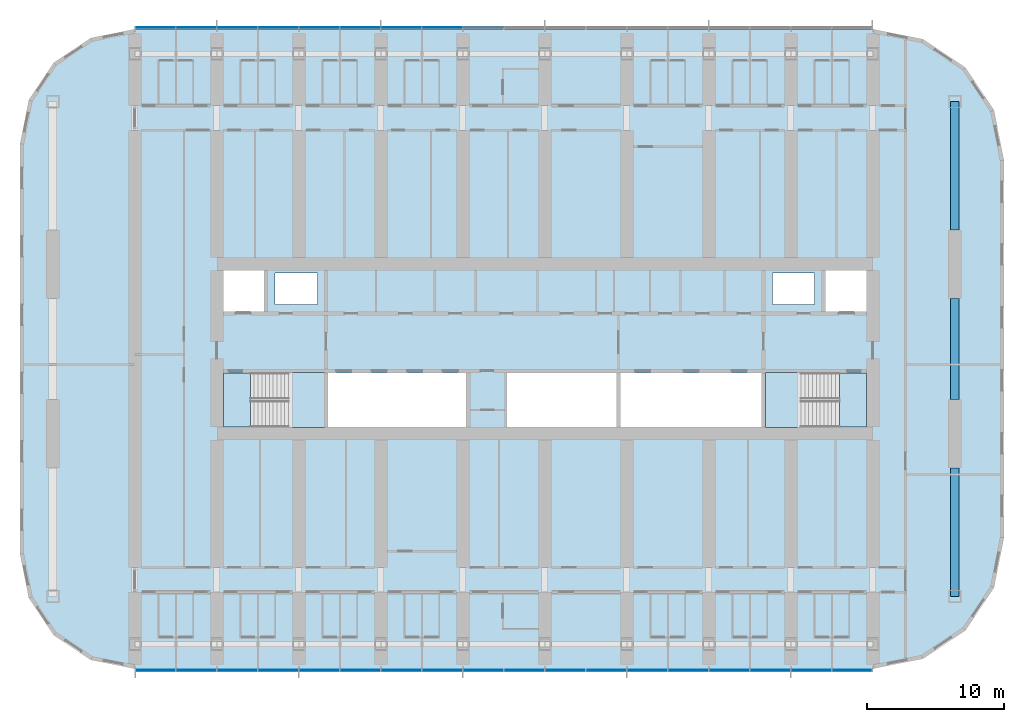
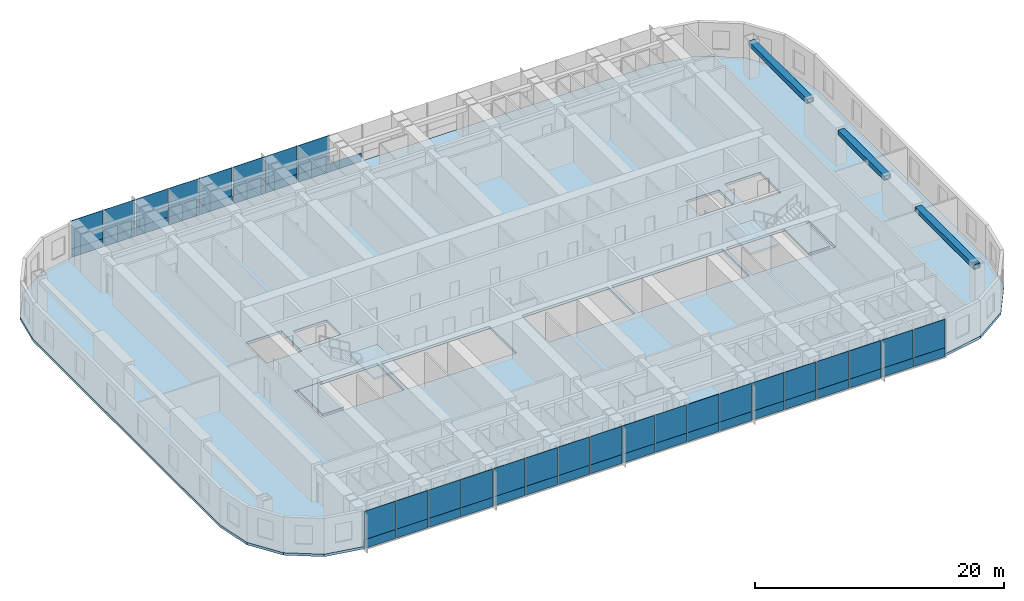
# One storey, part 6 of 22: 53 plates, 5 slabs, 3 beams, 4 elements without a shape of their own.
"""IFC4 building model written with IfcOpenShell, lengths in metres."""

from ifc_helpers import new_model, si_unit, direction, frame, origin, origin_2d, place, context, subcontext, project, spatial, polyline, rectangle, hollow_rectangle, outline, extrude, material, layer, layer_set, material_profile, profile_set, type_object, element, aggregate, save


model = new_model("IFC4")

# Units and contexts
model_context = context("Model", 3, precision=1e-05, world=origin(), true_north=direction((0.0, 1.0)))
body_context = subcontext(model_context, "Body", "Model", "MODEL_VIEW")
ifc_project = project(units=[si_unit("LENGTHUNIT", "METRE"), si_unit("AREAUNIT", "SQUARE_METRE"), si_unit("VOLUMEUNIT", "CUBIC_METRE"), si_unit("PLANEANGLEUNIT", "RADIAN"), si_unit("MASSUNIT", "GRAM", prefix="KILO")], contexts=[model_context])

# Site, building, storey
site_placement = place(None, origin())
site = spatial("IfcSite", under=ifc_project, at=site_placement, CompositionType="ELEMENT")
building_placement = place(site_placement, origin())
building = spatial("IfcBuilding", under=site, at=building_placement, Name="Orbita Commons", CompositionType="ELEMENT")
storey_placement = place(building_placement, frame((0.0, 0.0, 121.89990234375)))
storey = spatial("IfcBuildingStorey", under=building, at=storey_placement, Name="L30", CompositionType="ELEMENT", Elevation=121.89990234375)

# Beams
ifc_material_1 = material(Name="Steel ASTM A572 Gr 50 welded plate", Category="steel")
ifc_material_profile = material_profile(ifc_material_1, hollow_rectangle(XDim=0.60009765625, YDim=0.449951171875, WallThickness=0.06005859375, at=origin_2d()), Name="BOX 450x600x60")
ifc_profile_set = profile_set([ifc_material_profile], Name="Steel ASTM A572 Gr 50 welded plate")
beam_type = type_object("IfcBeamType", Name="Steel end frame link BOX 450x600x60", PredefinedType="BEAM", material=ifc_profile_set)
beam_1_placement = place(storey_placement, frame((72.0, 13.89990234375, 3.275146484375), z_axis=(0.0, 1.0, 0.0), x_axis=(-1.0, 0.0, 0.0)))
element("IfcBeam", 1, at=beam_1_placement, inside=storey, type_object=beam_type, Name="End frame beam 13 B-C L30", PredefinedType="BEAM", context=body_context, shape_type="SweptSolid", body=[
    extrude(hollow_rectangle(XDim=0.60009765625, YDim=0.449951171875, WallThickness=0.06005859375, at=origin_2d()), origin(), (0.0, 0.0, 1.0), 9.400146484375),
])
beam_2_placement = place(storey_placement, frame((72.0, 28.300048828125, 3.275146484375), z_axis=(0.0, 1.0, 0.0), x_axis=(-1.0, 0.0, 0.0)))
element("IfcBeam", 2, at=beam_2_placement, inside=storey, type_object=beam_type, Name="End frame beam 13 C-D L30", PredefinedType="BEAM", context=body_context, shape_type="SweptSolid", body=[
    extrude(hollow_rectangle(XDim=0.60009765625, YDim=0.449951171875, WallThickness=0.06005859375, at=origin_2d()), origin(), (0.0, 0.0, 1.0), 7.39990234375),
])
beam_3_placement = place(storey_placement, frame((72.0, 40.699951171875, 3.275146484375), z_axis=(0.0, 1.0, 0.0), x_axis=(-1.0, 0.0, 0.0)))
element("IfcBeam", 3, at=beam_3_placement, inside=storey, type_object=beam_type, Name="End frame beam 13 D-E L30", PredefinedType="BEAM", context=body_context, shape_type="SweptSolid", body=[
    extrude(hollow_rectangle(XDim=0.60009765625, YDim=0.449951171875, WallThickness=0.06005859375, at=origin_2d()), origin(), (0.0, 0.0, 1.0), 9.400146484375),
])

# Slab
ifc_material_2 = material(Name="Concrete C40/50", Category="concrete")
ifc_layer_1 = layer(ifc_material_2, 0.25)
ifc_layer_set_1 = layer_set([ifc_layer_1], Name="Concrete C40/50")
slab_type_1 = type_object("IfcSlabType", Name="Floor slab 250", PredefinedType="FLOOR", material=ifc_layer_set_1)
slab_1_placement = place(storey_placement, frame((0.0, 0.0, -0.25)))
element("IfcSlab", 4, at=slab_1_placement, inside=storey, type_object=slab_type_1, Name="Floor slab L30", PredefinedType="FLOOR", context=body_context, shape_type="SweptSolid", body=[
    extrude(outline(polyline([(66.0, 8.60009765625), (69.673828125, 9.330810546875), (72.788330078125, 11.411865234375), (74.869140625, 14.526123046875), (75.60009765625, 18.199951171875), (75.60009765625, 45.800048828125), (74.869140625, 49.473876953125), (72.788330078125, 52.588134765625), (69.673828125, 54.669189453125), (66.0, 55.39990234375), (12.0, 55.39990234375), (8.785400390625, 54.760498046875), (6.060302734375, 52.939697265625), (4.239501953125, 50.214599609375), (3.60009765625, 47.0), (3.60009765625, 17.0), (4.239501953125, 13.785400390625), (6.060302734375, 11.060302734375), (8.785400390625, 9.239501953125), (12.0, 8.60009765625), (66.0, 8.60009765625)]), holes=[polyline([(18.14990234375, 25.949951171875), (25.85009765625, 25.949951171875), (25.85009765625, 30.25), (18.14990234375, 30.25), (18.14990234375, 25.949951171875)]), polyline([(58.14990234375, 25.949951171875), (65.85009765625, 25.949951171875), (65.85009765625, 30.25), (58.14990234375, 30.25), (58.14990234375, 25.949951171875)]), polyline([(18.14990234375, 34.75), (21.449951171875, 34.75), (21.449951171875, 38.050048828125), (18.14990234375, 38.050048828125), (18.14990234375, 34.75)]), polyline([(62.550048828125, 34.75), (65.85009765625, 34.75), (65.85009765625, 38.050048828125), (62.550048828125, 38.050048828125), (62.550048828125, 34.75)]), polyline([(22.25, 35.25), (25.35009765625, 35.25), (25.35009765625, 37.550048828125), (22.25, 37.550048828125), (22.25, 35.25)]), polyline([(58.64990234375, 35.25), (61.75, 35.25), (61.75, 37.550048828125), (58.64990234375, 37.550048828125), (58.64990234375, 35.25)]), polyline([(26.14990234375, 25.949951171875), (36.25, 25.949951171875), (36.25, 30.25), (26.14990234375, 30.25), (26.14990234375, 25.949951171875)]), polyline([(39.25, 25.949951171875), (47.25, 25.949951171875), (47.25, 30.25), (39.25, 30.25), (39.25, 25.949951171875)]), polyline([(47.550048828125, 25.949951171875), (57.85009765625, 25.949951171875), (57.85009765625, 30.25), (47.550048828125, 30.25), (47.550048828125, 25.949951171875)])]), origin(), (0.0, 0.0, 1.0), 0.25),
])

# Curtain wall, plates
ifc_material_3 = material(Name="Anodised aluminium frame, pale silver", Category="aluminium")
curtain_wall_type = type_object("IfcCurtainWallType", Name="Unitised curtain wall CW-T, vision and spandrel", PredefinedType="NOTDEFINED", material=ifc_material_3)
curtain_wall_1_placement = place(storey_placement, origin())
curtain_wall_1 = element("IfcCurtainWall", 5, at=curtain_wall_1_placement, inside=storey, type_object=curtain_wall_type, Name="Curtain wall south L30", PredefinedType="NOTDEFINED")
ifc_material_4 = material(Name="Anodised aluminium sheet on mineral wool", Category="aluminium")
ifc_layer_2 = layer(ifc_material_4, 0.050048828125)
ifc_layer_set_2 = layer_set([ifc_layer_2], Name="Anodised aluminium sheet on mineral wool")
plate_type_1 = type_object("IfcPlateType", Name="Spandrel panel, pale aluminium over insulation 50", PredefinedType="CURTAIN_PANEL", material=ifc_layer_set_2)
plate_1_placement = place(storey_placement, frame((13.52001953125, 8.489990234375, -0.14990234375), z_axis=(0.0, 0.0, 1.0), x_axis=(1.0, 0.0, 0.0)))
plate_1 = element("IfcPlate", 6, at=plate_1_placement, type_object=plate_type_1, Name="Panel 1.1 CW-L30-S", PredefinedType="CURTAIN_PANEL", context=body_context, shape_type="SweptSolid", body=[
    extrude(rectangle(XDim=2.8798828125, YDim=0.050048828125, at=origin_2d()), origin(), (0.0, 0.0, 1.0), 0.875),
])
plate_2_placement = place(storey_placement, frame((16.5, 8.489990234375, -0.14990234375), z_axis=(0.0, 0.0, 1.0), x_axis=(1.0, 0.0, 0.0)))
plate_2 = element("IfcPlate", 7, at=plate_2_placement, type_object=plate_type_1, Name="Panel 2.1 CW-L30-S", PredefinedType="CURTAIN_PANEL", context=body_context, shape_type="SweptSolid", body=[
    extrude(rectangle(XDim=2.919921875, YDim=0.050048828125, at=origin_2d()), origin(), (0.0, 0.0, 1.0), 0.875),
])
plate_3_placement = place(storey_placement, frame((19.5, 8.489990234375, -0.14990234375), z_axis=(0.0, 0.0, 1.0), x_axis=(1.0, 0.0, 0.0)))
plate_3 = element("IfcPlate", 8, at=plate_3_placement, type_object=plate_type_1, Name="Panel 3.1 CW-L30-S", PredefinedType="CURTAIN_PANEL", context=body_context, shape_type="SweptSolid", body=[
    extrude(rectangle(XDim=2.919921875, YDim=0.050048828125, at=origin_2d()), origin(), (0.0, 0.0, 1.0), 0.875),
])
plate_4_placement = place(storey_placement, frame((22.5, 8.489990234375, -0.14990234375), z_axis=(0.0, 0.0, 1.0), x_axis=(1.0, 0.0, 0.0)))
plate_4 = element("IfcPlate", 9, at=plate_4_placement, type_object=plate_type_1, Name="Panel 4.1 CW-L30-S", PredefinedType="CURTAIN_PANEL", context=body_context, shape_type="SweptSolid", body=[
    extrude(rectangle(XDim=2.919921875, YDim=0.050048828125, at=origin_2d()), origin(), (0.0, 0.0, 1.0), 0.875),
])
plate_5_placement = place(storey_placement, frame((25.5, 8.489990234375, -0.14990234375), z_axis=(0.0, 0.0, 1.0), x_axis=(1.0, 0.0, 0.0)))
plate_5 = element("IfcPlate", 10, at=plate_5_placement, type_object=plate_type_1, Name="Panel 5.1 CW-L30-S", PredefinedType="CURTAIN_PANEL", context=body_context, shape_type="SweptSolid", body=[
    extrude(rectangle(XDim=2.919921875, YDim=0.050048828125, at=origin_2d()), origin(), (0.0, 0.0, 1.0), 0.875),
])
plate_6_placement = place(storey_placement, frame((28.5, 8.489990234375, -0.14990234375), z_axis=(0.0, 0.0, 1.0), x_axis=(1.0, 0.0, 0.0)))
plate_6 = element("IfcPlate", 11, at=plate_6_placement, type_object=plate_type_1, Name="Panel 6.1 CW-L30-S", PredefinedType="CURTAIN_PANEL", context=body_context, shape_type="SweptSolid", body=[
    extrude(rectangle(XDim=2.919921875, YDim=0.050048828125, at=origin_2d()), origin(), (0.0, 0.0, 1.0), 0.875),
])
plate_7_placement = place(storey_placement, frame((31.5, 8.489990234375, -0.14990234375), z_axis=(0.0, 0.0, 1.0), x_axis=(1.0, 0.0, 0.0)))
plate_7 = element("IfcPlate", 12, at=plate_7_placement, type_object=plate_type_1, Name="Panel 7.1 CW-L30-S", PredefinedType="CURTAIN_PANEL", context=body_context, shape_type="SweptSolid", body=[
    extrude(rectangle(XDim=2.919921875, YDim=0.050048828125, at=origin_2d()), origin(), (0.0, 0.0, 1.0), 0.875),
])
plate_8_placement = place(storey_placement, frame((34.5, 8.489990234375, -0.14990234375), z_axis=(0.0, 0.0, 1.0), x_axis=(1.0, 0.0, 0.0)))
plate_8 = element("IfcPlate", 13, at=plate_8_placement, type_object=plate_type_1, Name="Panel 8.1 CW-L30-S", PredefinedType="CURTAIN_PANEL", context=body_context, shape_type="SweptSolid", body=[
    extrude(rectangle(XDim=2.919921875, YDim=0.050048828125, at=origin_2d()), origin(), (0.0, 0.0, 1.0), 0.875),
])
plate_9_placement = place(storey_placement, frame((37.5, 8.489990234375, -0.14990234375), z_axis=(0.0, 0.0, 1.0), x_axis=(1.0, 0.0, 0.0)))
plate_9 = element("IfcPlate", 14, at=plate_9_placement, type_object=plate_type_1, Name="Panel 9.1 CW-L30-S", PredefinedType="CURTAIN_PANEL", context=body_context, shape_type="SweptSolid", body=[
    extrude(rectangle(XDim=2.919921875, YDim=0.050048828125, at=origin_2d()), origin(), (0.0, 0.0, 1.0), 0.875),
])
plate_10_placement = place(storey_placement, frame((40.5, 8.489990234375, -0.14990234375), z_axis=(0.0, 0.0, 1.0), x_axis=(1.0, 0.0, 0.0)))
plate_10 = element("IfcPlate", 15, at=plate_10_placement, type_object=plate_type_1, Name="Panel 10.1 CW-L30-S", PredefinedType="CURTAIN_PANEL", context=body_context, shape_type="SweptSolid", body=[
    extrude(rectangle(XDim=2.919921875, YDim=0.050048828125, at=origin_2d()), origin(), (0.0, 0.0, 1.0), 0.875),
])
plate_11_placement = place(storey_placement, frame((43.5, 8.489990234375, -0.14990234375), z_axis=(0.0, 0.0, 1.0), x_axis=(1.0, 0.0, 0.0)))
plate_11 = element("IfcPlate", 16, at=plate_11_placement, type_object=plate_type_1, Name="Panel 11.1 CW-L30-S", PredefinedType="CURTAIN_PANEL", context=body_context, shape_type="SweptSolid", body=[
    extrude(rectangle(XDim=2.919921875, YDim=0.050048828125, at=origin_2d()), origin(), (0.0, 0.0, 1.0), 0.875),
])
plate_12_placement = place(storey_placement, frame((46.5, 8.489990234375, -0.14990234375), z_axis=(0.0, 0.0, 1.0), x_axis=(1.0, 0.0, 0.0)))
plate_12 = element("IfcPlate", 17, at=plate_12_placement, type_object=plate_type_1, Name="Panel 12.1 CW-L30-S", PredefinedType="CURTAIN_PANEL", context=body_context, shape_type="SweptSolid", body=[
    extrude(rectangle(XDim=2.919921875, YDim=0.050048828125, at=origin_2d()), origin(), (0.0, 0.0, 1.0), 0.875),
])
plate_13_placement = place(storey_placement, frame((49.5, 8.489990234375, -0.14990234375), z_axis=(0.0, 0.0, 1.0), x_axis=(1.0, 0.0, 0.0)))
plate_13 = element("IfcPlate", 18, at=plate_13_placement, type_object=plate_type_1, Name="Panel 13.1 CW-L30-S", PredefinedType="CURTAIN_PANEL", context=body_context, shape_type="SweptSolid", body=[
    extrude(rectangle(XDim=2.919921875, YDim=0.050048828125, at=origin_2d()), origin(), (0.0, 0.0, 1.0), 0.875),
])
plate_14_placement = place(storey_placement, frame((52.5, 8.489990234375, -0.14990234375), z_axis=(0.0, 0.0, 1.0), x_axis=(1.0, 0.0, 0.0)))
plate_14 = element("IfcPlate", 19, at=plate_14_placement, type_object=plate_type_1, Name="Panel 14.1 CW-L30-S", PredefinedType="CURTAIN_PANEL", context=body_context, shape_type="SweptSolid", body=[
    extrude(rectangle(XDim=2.919921875, YDim=0.050048828125, at=origin_2d()), origin(), (0.0, 0.0, 1.0), 0.875),
])
plate_15_placement = place(storey_placement, frame((55.5, 8.489990234375, -0.14990234375), z_axis=(0.0, 0.0, 1.0), x_axis=(1.0, 0.0, 0.0)))
plate_15 = element("IfcPlate", 20, at=plate_15_placement, type_object=plate_type_1, Name="Panel 15.1 CW-L30-S", PredefinedType="CURTAIN_PANEL", context=body_context, shape_type="SweptSolid", body=[
    extrude(rectangle(XDim=2.919921875, YDim=0.050048828125, at=origin_2d()), origin(), (0.0, 0.0, 1.0), 0.875),
])
plate_16_placement = place(storey_placement, frame((58.5, 8.489990234375, -0.14990234375), z_axis=(0.0, 0.0, 1.0), x_axis=(1.0, 0.0, 0.0)))
plate_16 = element("IfcPlate", 21, at=plate_16_placement, type_object=plate_type_1, Name="Panel 16.1 CW-L30-S", PredefinedType="CURTAIN_PANEL", context=body_context, shape_type="SweptSolid", body=[
    extrude(rectangle(XDim=2.919921875, YDim=0.050048828125, at=origin_2d()), origin(), (0.0, 0.0, 1.0), 0.875),
])
plate_17_placement = place(storey_placement, frame((61.5, 8.489990234375, -0.14990234375), z_axis=(0.0, 0.0, 1.0), x_axis=(1.0, 0.0, 0.0)))
plate_17 = element("IfcPlate", 22, at=plate_17_placement, type_object=plate_type_1, Name="Panel 17.1 CW-L30-S", PredefinedType="CURTAIN_PANEL", context=body_context, shape_type="SweptSolid", body=[
    extrude(rectangle(XDim=2.919921875, YDim=0.050048828125, at=origin_2d()), origin(), (0.0, 0.0, 1.0), 0.875),
])
plate_18_placement = place(storey_placement, frame((64.47998046875, 8.489990234375, -0.14990234375), z_axis=(0.0, 0.0, 1.0), x_axis=(1.0, 0.0, 0.0)))
plate_18 = element("IfcPlate", 23, at=plate_18_placement, type_object=plate_type_1, Name="Panel 18.1 CW-L30-S", PredefinedType="CURTAIN_PANEL", context=body_context, shape_type="SweptSolid", body=[
    extrude(rectangle(XDim=2.8798828125, YDim=0.050048828125, at=origin_2d()), origin(), (0.0, 0.0, 1.0), 0.875),
])

curtain_wall_2_placement = place(storey_placement, origin())
curtain_wall_2 = element("IfcCurtainWall", 24, at=curtain_wall_2_placement, inside=storey, type_object=curtain_wall_type, Name="Curtain wall north L30", PredefinedType="NOTDEFINED")
plate_19_placement = place(storey_placement, frame((37.5, 55.510009765625, -0.14990234375), z_axis=(0.0, 0.0, 1.0), x_axis=(-1.0, 0.0, 0.0)))
plate_19 = element("IfcPlate", 25, at=plate_19_placement, type_object=plate_type_1, Name="Panel 10.1 CW-L30-N", PredefinedType="CURTAIN_PANEL", context=body_context, shape_type="SweptSolid", body=[
    extrude(rectangle(XDim=2.919921875, YDim=0.050048828125, at=origin_2d()), origin(), (0.0, 0.0, 1.0), 0.875),
])
plate_20_placement = place(storey_placement, frame((34.5, 55.510009765625, -0.14990234375), z_axis=(0.0, 0.0, 1.0), x_axis=(-1.0, 0.0, 0.0)))
plate_20 = element("IfcPlate", 26, at=plate_20_placement, type_object=plate_type_1, Name="Panel 11.1 CW-L30-N", PredefinedType="CURTAIN_PANEL", context=body_context, shape_type="SweptSolid", body=[
    extrude(rectangle(XDim=2.919921875, YDim=0.050048828125, at=origin_2d()), origin(), (0.0, 0.0, 1.0), 0.875),
])
plate_21_placement = place(storey_placement, frame((31.5, 55.510009765625, -0.14990234375), z_axis=(0.0, 0.0, 1.0), x_axis=(-1.0, 0.0, 0.0)))
plate_21 = element("IfcPlate", 27, at=plate_21_placement, type_object=plate_type_1, Name="Panel 12.1 CW-L30-N", PredefinedType="CURTAIN_PANEL", context=body_context, shape_type="SweptSolid", body=[
    extrude(rectangle(XDim=2.919921875, YDim=0.050048828125, at=origin_2d()), origin(), (0.0, 0.0, 1.0), 0.875),
])
plate_22_placement = place(storey_placement, frame((28.5, 55.510009765625, -0.14990234375), z_axis=(0.0, 0.0, 1.0), x_axis=(-1.0, 0.0, 0.0)))
plate_22 = element("IfcPlate", 28, at=plate_22_placement, type_object=plate_type_1, Name="Panel 13.1 CW-L30-N", PredefinedType="CURTAIN_PANEL", context=body_context, shape_type="SweptSolid", body=[
    extrude(rectangle(XDim=2.919921875, YDim=0.050048828125, at=origin_2d()), origin(), (0.0, 0.0, 1.0), 0.875),
])
plate_23_placement = place(storey_placement, frame((25.5, 55.510009765625, -0.14990234375), z_axis=(0.0, 0.0, 1.0), x_axis=(-1.0, 0.0, 0.0)))
plate_23 = element("IfcPlate", 29, at=plate_23_placement, type_object=plate_type_1, Name="Panel 14.1 CW-L30-N", PredefinedType="CURTAIN_PANEL", context=body_context, shape_type="SweptSolid", body=[
    extrude(rectangle(XDim=2.919921875, YDim=0.050048828125, at=origin_2d()), origin(), (0.0, 0.0, 1.0), 0.875),
])
plate_24_placement = place(storey_placement, frame((22.5, 55.510009765625, -0.14990234375), z_axis=(0.0, 0.0, 1.0), x_axis=(-1.0, 0.0, 0.0)))
plate_24 = element("IfcPlate", 30, at=plate_24_placement, type_object=plate_type_1, Name="Panel 15.1 CW-L30-N", PredefinedType="CURTAIN_PANEL", context=body_context, shape_type="SweptSolid", body=[
    extrude(rectangle(XDim=2.919921875, YDim=0.050048828125, at=origin_2d()), origin(), (0.0, 0.0, 1.0), 0.875),
])
plate_25_placement = place(storey_placement, frame((19.5, 55.510009765625, -0.14990234375), z_axis=(0.0, 0.0, 1.0), x_axis=(-1.0, 0.0, 0.0)))
plate_25 = element("IfcPlate", 31, at=plate_25_placement, type_object=plate_type_1, Name="Panel 16.1 CW-L30-N", PredefinedType="CURTAIN_PANEL", context=body_context, shape_type="SweptSolid", body=[
    extrude(rectangle(XDim=2.919921875, YDim=0.050048828125, at=origin_2d()), origin(), (0.0, 0.0, 1.0), 0.875),
])
plate_26_placement = place(storey_placement, frame((16.5, 55.510009765625, -0.14990234375), z_axis=(0.0, 0.0, 1.0), x_axis=(-1.0, 0.0, 0.0)))
plate_26 = element("IfcPlate", 32, at=plate_26_placement, type_object=plate_type_1, Name="Panel 17.1 CW-L30-N", PredefinedType="CURTAIN_PANEL", context=body_context, shape_type="SweptSolid", body=[
    extrude(rectangle(XDim=2.919921875, YDim=0.050048828125, at=origin_2d()), origin(), (0.0, 0.0, 1.0), 0.875),
])
plate_27_placement = place(storey_placement, frame((13.52001953125, 55.510009765625, -0.14990234375), z_axis=(0.0, 0.0, 1.0), x_axis=(-1.0, 0.0, 0.0)))
plate_27 = element("IfcPlate", 33, at=plate_27_placement, type_object=plate_type_1, Name="Panel 18.1 CW-L30-N", PredefinedType="CURTAIN_PANEL", context=body_context, shape_type="SweptSolid", body=[
    extrude(rectangle(XDim=2.8798828125, YDim=0.050048828125, at=origin_2d()), origin(), (0.0, 0.0, 1.0), 0.875),
])

# Stair, slabs
ifc_material_5 = material(Name="Precast concrete C40/50", Category="concrete")
stair_type_1 = type_object("IfcStairType", Name="Exit stair S1 2 flights 11 risers 170", PredefinedType="HALF_TURN_STAIR", material=ifc_material_5)
stair_1_placement = place(storey_placement, origin())
stair_1 = element("IfcStair", 34, at=stair_1_placement, inside=storey, type_object=stair_type_1, Name="Exit stair S1 L30", PredefinedType="HALF_TURN_STAIR")
ifc_material_6 = material(Name="Concrete C40/50", Category="concrete")
ifc_layer_3 = layer(ifc_material_6, 0.199951171875)
ifc_layer_set_3 = layer_set([ifc_layer_3], Name="Concrete C40/50")
slab_type_2 = type_object("IfcSlabType", Name="Stair landing 200", PredefinedType="LANDING", material=ifc_layer_set_3)
slab_2_placement = place(storey_placement, frame((0.0, 0.0, -0.199951171875)))
slab_2 = element("IfcSlab", 35, at=slab_2_placement, type_object=slab_type_2, Name="S1 landing 1", PredefinedType="LANDING", context=body_context, shape_type="SweptSolid", body=[
    extrude(outline(polyline([(18.47509765625, 26.27490234375), (20.449951171875, 26.27490234375), (20.449951171875, 30.25), (18.47509765625, 30.25), (18.47509765625, 26.27490234375)])), origin(), (0.0, 0.0, 1.0), 0.199951171875),
])
slab_3_placement = place(storey_placement, frame((0.0, 0.0, 1.675048828125)))
slab_3 = element("IfcSlab", 36, at=slab_3_placement, type_object=slab_type_2, Name="S1 landing 2", PredefinedType="LANDING", context=body_context, shape_type="SweptSolid", body=[
    extrude(outline(polyline([(23.25, 26.260009765625), (25.864990234375, 26.260009765625), (25.864990234375, 30.264892578125), (23.25, 30.264892578125), (23.25, 26.260009765625)])), origin(), (0.0, 0.0, 1.0), 0.199951171875),
])
aggregate(stair_1, [slab_2, slab_3])

ifc_material_7 = material(Name="Precast concrete C40/50", Category="concrete")
stair_type_2 = type_object("IfcStairType", Name="Exit stair S2 2 flights 11 risers 170", PredefinedType="HALF_TURN_STAIR", material=ifc_material_7)
stair_2_placement = place(storey_placement, origin())
stair_2 = element("IfcStair", 37, at=stair_2_placement, inside=storey, type_object=stair_type_2, Name="Exit stair S2 L30", PredefinedType="HALF_TURN_STAIR")
slab_4_placement = place(storey_placement, frame((0.0, 0.0, -0.199951171875)))
slab_4 = element("IfcSlab", 38, at=slab_4_placement, type_object=slab_type_2, Name="S2 landing 1", PredefinedType="LANDING", context=body_context, shape_type="SweptSolid", body=[
    extrude(outline(polyline([(63.550048828125, 26.27490234375), (65.52490234375, 26.27490234375), (65.52490234375, 30.25), (63.550048828125, 30.25), (63.550048828125, 26.27490234375)])), origin(), (0.0, 0.0, 1.0), 0.199951171875),
])
slab_5_placement = place(storey_placement, frame((0.0, 0.0, 1.675048828125)))
slab_5 = element("IfcSlab", 39, at=slab_5_placement, type_object=slab_type_2, Name="S2 landing 2", PredefinedType="LANDING", context=body_context, shape_type="SweptSolid", body=[
    extrude(outline(polyline([(58.135009765625, 26.260009765625), (60.75, 26.260009765625), (60.75, 30.264892578125), (58.135009765625, 30.264892578125), (58.135009765625, 26.260009765625)])), origin(), (0.0, 0.0, 1.0), 0.199951171875),
])
aggregate(stair_2, [slab_4, slab_5])

# Plate
ifc_material_8 = material(Name="Clear double glazing", Category="glass")
ifc_layer_4 = layer(ifc_material_8, 0.031982421875)
ifc_layer_set_4 = layer_set([ifc_layer_4], Name="Clear double glazing")
plate_type_2 = type_object("IfcPlateType", Name="Vision panel, clear double glazing 32", PredefinedType="CURTAIN_PANEL", material=ifc_layer_set_4)
plate_28_placement = place(storey_placement, frame((13.52001953125, 8.489990234375, 0.72509765625), z_axis=(0.0, 0.0, 1.0), x_axis=(1.0, 0.0, 0.0)))
plate_28 = element("IfcPlate", 40, at=plate_28_placement, type_object=plate_type_2, Name="Panel 1.2 CW-L30-S", PredefinedType="CURTAIN_PANEL", context=body_context, shape_type="SweptSolid", body=[
    extrude(rectangle(XDim=2.8798828125, YDim=0.031982421875, at=origin_2d()), origin(), (0.0, 0.0, 1.0), 2.77490234375),
])

plate_29_placement = place(storey_placement, frame((16.5, 8.489990234375, 0.72509765625), z_axis=(0.0, 0.0, 1.0), x_axis=(1.0, 0.0, 0.0)))
plate_29 = element("IfcPlate", 41, at=plate_29_placement, type_object=plate_type_2, Name="Panel 2.2 CW-L30-S", PredefinedType="CURTAIN_PANEL", context=body_context, shape_type="SweptSolid", body=[
    extrude(rectangle(XDim=2.919921875, YDim=0.031982421875, at=origin_2d()), origin(), (0.0, 0.0, 1.0), 2.77490234375),
])

plate_30_placement = place(storey_placement, frame((19.5, 8.489990234375, 0.72509765625), z_axis=(0.0, 0.0, 1.0), x_axis=(1.0, 0.0, 0.0)))
plate_30 = element("IfcPlate", 42, at=plate_30_placement, type_object=plate_type_2, Name="Panel 3.2 CW-L30-S", PredefinedType="CURTAIN_PANEL", context=body_context, shape_type="SweptSolid", body=[
    extrude(rectangle(XDim=2.919921875, YDim=0.031982421875, at=origin_2d()), origin(), (0.0, 0.0, 1.0), 2.77490234375),
])

plate_31_placement = place(storey_placement, frame((22.5, 8.489990234375, 0.72509765625), z_axis=(0.0, 0.0, 1.0), x_axis=(1.0, 0.0, 0.0)))
plate_31 = element("IfcPlate", 43, at=plate_31_placement, type_object=plate_type_2, Name="Panel 4.2 CW-L30-S", PredefinedType="CURTAIN_PANEL", context=body_context, shape_type="SweptSolid", body=[
    extrude(rectangle(XDim=2.919921875, YDim=0.031982421875, at=origin_2d()), origin(), (0.0, 0.0, 1.0), 2.77490234375),
])

plate_32_placement = place(storey_placement, frame((25.5, 8.489990234375, 0.72509765625), z_axis=(0.0, 0.0, 1.0), x_axis=(1.0, 0.0, 0.0)))
plate_32 = element("IfcPlate", 44, at=plate_32_placement, type_object=plate_type_2, Name="Panel 5.2 CW-L30-S", PredefinedType="CURTAIN_PANEL", context=body_context, shape_type="SweptSolid", body=[
    extrude(rectangle(XDim=2.919921875, YDim=0.031982421875, at=origin_2d()), origin(), (0.0, 0.0, 1.0), 2.77490234375),
])

plate_33_placement = place(storey_placement, frame((28.5, 8.489990234375, 0.72509765625), z_axis=(0.0, 0.0, 1.0), x_axis=(1.0, 0.0, 0.0)))
plate_33 = element("IfcPlate", 45, at=plate_33_placement, type_object=plate_type_2, Name="Panel 6.2 CW-L30-S", PredefinedType="CURTAIN_PANEL", context=body_context, shape_type="SweptSolid", body=[
    extrude(rectangle(XDim=2.919921875, YDim=0.031982421875, at=origin_2d()), origin(), (0.0, 0.0, 1.0), 2.77490234375),
])

plate_34_placement = place(storey_placement, frame((31.5, 8.489990234375, 0.72509765625), z_axis=(0.0, 0.0, 1.0), x_axis=(1.0, 0.0, 0.0)))
plate_34 = element("IfcPlate", 46, at=plate_34_placement, type_object=plate_type_2, Name="Panel 7.2 CW-L30-S", PredefinedType="CURTAIN_PANEL", context=body_context, shape_type="SweptSolid", body=[
    extrude(rectangle(XDim=2.919921875, YDim=0.031982421875, at=origin_2d()), origin(), (0.0, 0.0, 1.0), 2.77490234375),
])

plate_35_placement = place(storey_placement, frame((34.5, 8.489990234375, 0.72509765625), z_axis=(0.0, 0.0, 1.0), x_axis=(1.0, 0.0, 0.0)))
plate_35 = element("IfcPlate", 47, at=plate_35_placement, type_object=plate_type_2, Name="Panel 8.2 CW-L30-S", PredefinedType="CURTAIN_PANEL", context=body_context, shape_type="SweptSolid", body=[
    extrude(rectangle(XDim=2.919921875, YDim=0.031982421875, at=origin_2d()), origin(), (0.0, 0.0, 1.0), 2.77490234375),
])

plate_36_placement = place(storey_placement, frame((37.5, 8.489990234375, 0.72509765625), z_axis=(0.0, 0.0, 1.0), x_axis=(1.0, 0.0, 0.0)))
plate_36 = element("IfcPlate", 48, at=plate_36_placement, type_object=plate_type_2, Name="Panel 9.2 CW-L30-S", PredefinedType="CURTAIN_PANEL", context=body_context, shape_type="SweptSolid", body=[
    extrude(rectangle(XDim=2.919921875, YDim=0.031982421875, at=origin_2d()), origin(), (0.0, 0.0, 1.0), 2.77490234375),
])

plate_37_placement = place(storey_placement, frame((40.5, 8.489990234375, 0.72509765625), z_axis=(0.0, 0.0, 1.0), x_axis=(1.0, 0.0, 0.0)))
plate_37 = element("IfcPlate", 49, at=plate_37_placement, type_object=plate_type_2, Name="Panel 10.2 CW-L30-S", PredefinedType="CURTAIN_PANEL", context=body_context, shape_type="SweptSolid", body=[
    extrude(rectangle(XDim=2.919921875, YDim=0.031982421875, at=origin_2d()), origin(), (0.0, 0.0, 1.0), 2.77490234375),
])

plate_38_placement = place(storey_placement, frame((43.5, 8.489990234375, 0.72509765625), z_axis=(0.0, 0.0, 1.0), x_axis=(1.0, 0.0, 0.0)))
plate_38 = element("IfcPlate", 50, at=plate_38_placement, type_object=plate_type_2, Name="Panel 11.2 CW-L30-S", PredefinedType="CURTAIN_PANEL", context=body_context, shape_type="SweptSolid", body=[
    extrude(rectangle(XDim=2.919921875, YDim=0.031982421875, at=origin_2d()), origin(), (0.0, 0.0, 1.0), 2.77490234375),
])

plate_39_placement = place(storey_placement, frame((46.5, 8.489990234375, 0.72509765625), z_axis=(0.0, 0.0, 1.0), x_axis=(1.0, 0.0, 0.0)))
plate_39 = element("IfcPlate", 51, at=plate_39_placement, type_object=plate_type_2, Name="Panel 12.2 CW-L30-S", PredefinedType="CURTAIN_PANEL", context=body_context, shape_type="SweptSolid", body=[
    extrude(rectangle(XDim=2.919921875, YDim=0.031982421875, at=origin_2d()), origin(), (0.0, 0.0, 1.0), 2.77490234375),
])

plate_40_placement = place(storey_placement, frame((49.5, 8.489990234375, 0.72509765625), z_axis=(0.0, 0.0, 1.0), x_axis=(1.0, 0.0, 0.0)))
plate_40 = element("IfcPlate", 52, at=plate_40_placement, type_object=plate_type_2, Name="Panel 13.2 CW-L30-S", PredefinedType="CURTAIN_PANEL", context=body_context, shape_type="SweptSolid", body=[
    extrude(rectangle(XDim=2.919921875, YDim=0.031982421875, at=origin_2d()), origin(), (0.0, 0.0, 1.0), 2.77490234375),
])

plate_41_placement = place(storey_placement, frame((52.5, 8.489990234375, 0.72509765625), z_axis=(0.0, 0.0, 1.0), x_axis=(1.0, 0.0, 0.0)))
plate_41 = element("IfcPlate", 53, at=plate_41_placement, type_object=plate_type_2, Name="Panel 14.2 CW-L30-S", PredefinedType="CURTAIN_PANEL", context=body_context, shape_type="SweptSolid", body=[
    extrude(rectangle(XDim=2.919921875, YDim=0.031982421875, at=origin_2d()), origin(), (0.0, 0.0, 1.0), 2.77490234375),
])

plate_42_placement = place(storey_placement, frame((55.5, 8.489990234375, 0.72509765625), z_axis=(0.0, 0.0, 1.0), x_axis=(1.0, 0.0, 0.0)))
plate_42 = element("IfcPlate", 54, at=plate_42_placement, type_object=plate_type_2, Name="Panel 15.2 CW-L30-S", PredefinedType="CURTAIN_PANEL", context=body_context, shape_type="SweptSolid", body=[
    extrude(rectangle(XDim=2.919921875, YDim=0.031982421875, at=origin_2d()), origin(), (0.0, 0.0, 1.0), 2.77490234375),
])

plate_43_placement = place(storey_placement, frame((58.5, 8.489990234375, 0.72509765625), z_axis=(0.0, 0.0, 1.0), x_axis=(1.0, 0.0, 0.0)))
plate_43 = element("IfcPlate", 55, at=plate_43_placement, type_object=plate_type_2, Name="Panel 16.2 CW-L30-S", PredefinedType="CURTAIN_PANEL", context=body_context, shape_type="SweptSolid", body=[
    extrude(rectangle(XDim=2.919921875, YDim=0.031982421875, at=origin_2d()), origin(), (0.0, 0.0, 1.0), 2.77490234375),
])

plate_44_placement = place(storey_placement, frame((61.5, 8.489990234375, 0.72509765625), z_axis=(0.0, 0.0, 1.0), x_axis=(1.0, 0.0, 0.0)))
plate_44 = element("IfcPlate", 56, at=plate_44_placement, type_object=plate_type_2, Name="Panel 17.2 CW-L30-S", PredefinedType="CURTAIN_PANEL", context=body_context, shape_type="SweptSolid", body=[
    extrude(rectangle(XDim=2.919921875, YDim=0.031982421875, at=origin_2d()), origin(), (0.0, 0.0, 1.0), 2.77490234375),
])

plate_45_placement = place(storey_placement, frame((64.47998046875, 8.489990234375, 0.72509765625), z_axis=(0.0, 0.0, 1.0), x_axis=(1.0, 0.0, 0.0)))
plate_45 = element("IfcPlate", 57, at=plate_45_placement, type_object=plate_type_2, Name="Panel 18.2 CW-L30-S", PredefinedType="CURTAIN_PANEL", context=body_context, shape_type="SweptSolid", body=[
    extrude(rectangle(XDim=2.8798828125, YDim=0.031982421875, at=origin_2d()), origin(), (0.0, 0.0, 1.0), 2.77490234375),
])

aggregate(curtain_wall_1, [plate_1, plate_28, plate_2, plate_29, plate_3, plate_30, plate_4, plate_31, plate_5, plate_32, plate_6, plate_33, plate_7, plate_34, plate_8, plate_35, plate_9, plate_36, plate_10, plate_37, plate_11, plate_38, plate_12, plate_39, plate_13, plate_40, plate_14, plate_41, plate_15, plate_42, plate_16, plate_43, plate_17, plate_44, plate_18, plate_45])

plate_46_placement = place(storey_placement, frame((34.5, 55.510009765625, 0.72509765625), z_axis=(0.0, 0.0, 1.0), x_axis=(-1.0, 0.0, 0.0)))
plate_46 = element("IfcPlate", 58, at=plate_46_placement, type_object=plate_type_2, Name="Panel 11.2 CW-L30-N", PredefinedType="CURTAIN_PANEL", context=body_context, shape_type="SweptSolid", body=[
    extrude(rectangle(XDim=2.919921875, YDim=0.031982421875, at=origin_2d()), origin(), (0.0, 0.0, 1.0), 2.77490234375),
])

plate_47_placement = place(storey_placement, frame((31.5, 55.510009765625, 0.72509765625), z_axis=(0.0, 0.0, 1.0), x_axis=(-1.0, 0.0, 0.0)))
plate_47 = element("IfcPlate", 59, at=plate_47_placement, type_object=plate_type_2, Name="Panel 12.2 CW-L30-N", PredefinedType="CURTAIN_PANEL", context=body_context, shape_type="SweptSolid", body=[
    extrude(rectangle(XDim=2.919921875, YDim=0.031982421875, at=origin_2d()), origin(), (0.0, 0.0, 1.0), 2.77490234375),
])

plate_48_placement = place(storey_placement, frame((28.5, 55.510009765625, 0.72509765625), z_axis=(0.0, 0.0, 1.0), x_axis=(-1.0, 0.0, 0.0)))
plate_48 = element("IfcPlate", 60, at=plate_48_placement, type_object=plate_type_2, Name="Panel 13.2 CW-L30-N", PredefinedType="CURTAIN_PANEL", context=body_context, shape_type="SweptSolid", body=[
    extrude(rectangle(XDim=2.919921875, YDim=0.031982421875, at=origin_2d()), origin(), (0.0, 0.0, 1.0), 2.77490234375),
])

plate_49_placement = place(storey_placement, frame((25.5, 55.510009765625, 0.72509765625), z_axis=(0.0, 0.0, 1.0), x_axis=(-1.0, 0.0, 0.0)))
plate_49 = element("IfcPlate", 61, at=plate_49_placement, type_object=plate_type_2, Name="Panel 14.2 CW-L30-N", PredefinedType="CURTAIN_PANEL", context=body_context, shape_type="SweptSolid", body=[
    extrude(rectangle(XDim=2.919921875, YDim=0.031982421875, at=origin_2d()), origin(), (0.0, 0.0, 1.0), 2.77490234375),
])

plate_50_placement = place(storey_placement, frame((22.5, 55.510009765625, 0.72509765625), z_axis=(0.0, 0.0, 1.0), x_axis=(-1.0, 0.0, 0.0)))
plate_50 = element("IfcPlate", 62, at=plate_50_placement, type_object=plate_type_2, Name="Panel 15.2 CW-L30-N", PredefinedType="CURTAIN_PANEL", context=body_context, shape_type="SweptSolid", body=[
    extrude(rectangle(XDim=2.919921875, YDim=0.031982421875, at=origin_2d()), origin(), (0.0, 0.0, 1.0), 2.77490234375),
])

plate_51_placement = place(storey_placement, frame((19.5, 55.510009765625, 0.72509765625), z_axis=(0.0, 0.0, 1.0), x_axis=(-1.0, 0.0, 0.0)))
plate_51 = element("IfcPlate", 63, at=plate_51_placement, type_object=plate_type_2, Name="Panel 16.2 CW-L30-N", PredefinedType="CURTAIN_PANEL", context=body_context, shape_type="SweptSolid", body=[
    extrude(rectangle(XDim=2.919921875, YDim=0.031982421875, at=origin_2d()), origin(), (0.0, 0.0, 1.0), 2.77490234375),
])

plate_52_placement = place(storey_placement, frame((16.5, 55.510009765625, 0.72509765625), z_axis=(0.0, 0.0, 1.0), x_axis=(-1.0, 0.0, 0.0)))
plate_52 = element("IfcPlate", 64, at=plate_52_placement, type_object=plate_type_2, Name="Panel 17.2 CW-L30-N", PredefinedType="CURTAIN_PANEL", context=body_context, shape_type="SweptSolid", body=[
    extrude(rectangle(XDim=2.919921875, YDim=0.031982421875, at=origin_2d()), origin(), (0.0, 0.0, 1.0), 2.77490234375),
])

plate_53_placement = place(storey_placement, frame((13.52001953125, 55.510009765625, 0.72509765625), z_axis=(0.0, 0.0, 1.0), x_axis=(-1.0, 0.0, 0.0)))
plate_53 = element("IfcPlate", 65, at=plate_53_placement, type_object=plate_type_2, Name="Panel 18.2 CW-L30-N", PredefinedType="CURTAIN_PANEL", context=body_context, shape_type="SweptSolid", body=[
    extrude(rectangle(XDim=2.8798828125, YDim=0.031982421875, at=origin_2d()), origin(), (0.0, 0.0, 1.0), 2.77490234375),
])

aggregate(curtain_wall_2, [plate_19, plate_20, plate_46, plate_21, plate_47, plate_22, plate_48, plate_23, plate_49, plate_24, plate_50, plate_25, plate_51, plate_26, plate_52, plate_27, plate_53])

save(model, "model.ifc")
